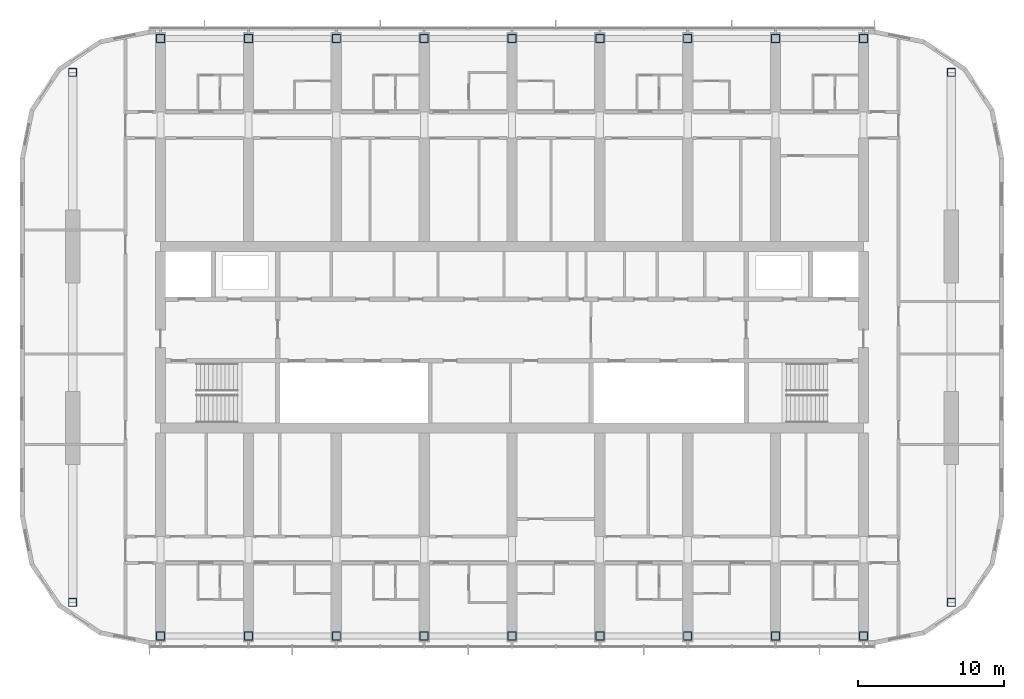
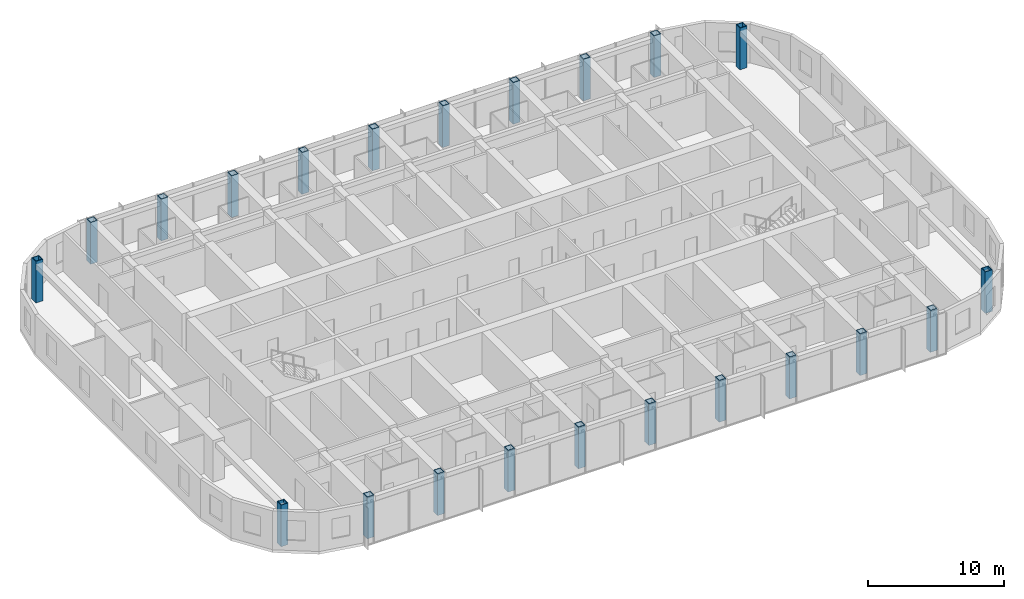
# One storey, part 1 of 23: 22 columns.
"""IFC4 building model written with IfcOpenShell, lengths in metres."""

from ifc_helpers import new_model, si_unit, direction, frame, origin, origin_2d, place, context, subcontext, project, spatial, hollow_rectangle, extrude, material, material_profile, profile_set, type_object, element, save


model = new_model("IFC4")

# Units and contexts
model_context = context("Model", 3, precision=1e-05, world=origin(), true_north=direction((0.0, 1.0)))
body_context = subcontext(model_context, "Body", "Model", "MODEL_VIEW")
ifc_project = project(units=[si_unit("LENGTHUNIT", "METRE"), si_unit("AREAUNIT", "SQUARE_METRE"), si_unit("VOLUMEUNIT", "CUBIC_METRE"), si_unit("PLANEANGLEUNIT", "RADIAN"), si_unit("MASSUNIT", "GRAM", prefix="KILO")], contexts=[model_context])

# Site, building, storey
site_placement = place(None, origin())
site = spatial("IfcSite", under=ifc_project, at=site_placement, CompositionType="ELEMENT")
building_placement = place(site_placement, origin())
building = spatial("IfcBuilding", under=site, at=building_placement, Name="Orbita Commons", CompositionType="ELEMENT")
storey_placement = place(building_placement, frame((0.0, 0.0, 224.050048828125)))
storey = spatial("IfcBuildingStorey", under=building, at=storey_placement, Name="L55", CompositionType="ELEMENT", Elevation=224.050048828125)

# Columns
ifc_material = material(Name="Steel ASTM A572 Gr 50 welded plate", Category="steel")
ifc_material_profile = material_profile(ifc_material, hollow_rectangle(XDim=0.60009765625, YDim=0.60009765625, WallThickness=0.06005859375, at=origin_2d()), Name="BOX 600x600x60")
ifc_profile_set = profile_set([ifc_material_profile], Name="Steel ASTM A572 Gr 50 welded plate")
column_type = type_object("IfcColumnType", Name="Steel column BOX 600x600x60", PredefinedType="COLUMN", material=ifc_profile_set)
for number, where, z_axis, x_axis, name in (
    (1, (18.0, 11.60009765625, 0.0), (0.0, 0.0, 1.0), (1.0, 0.0, 0.0), "Column 4/B L55"),
    (2, (18.0, 52.39990234375, 0.0), (0.0, 0.0, 1.0), (1.0, 0.0, 0.0), "Column 4/E L55"),
    (3, (24.0, 11.60009765625, 0.0), (0.0, 0.0, 1.0), (1.0, 0.0, 0.0), "Column 5/B L55"),
    (4, (24.0, 52.39990234375, 0.0), (0.0, 0.0, 1.0), (1.0, 0.0, 0.0), "Column 5/E L55"),
    (5, (30.0, 11.60009765625, 0.0), (0.0, 0.0, 1.0), (1.0, 0.0, 0.0), "Column 6/B L55"),
    (6, (30.0, 52.39990234375, 0.0), (0.0, 0.0, 1.0), (1.0, 0.0, 0.0), "Column 6/E L55"),
    (7, (36.0, 11.60009765625, 0.0), (0.0, 0.0, 1.0), (1.0, 0.0, 0.0), "Column 7/B L55"),
    (8, (36.0, 52.39990234375, 0.0), (0.0, 0.0, 1.0), (1.0, 0.0, 0.0), "Column 7/E L55"),
    (9, (42.0, 11.60009765625, 0.0), (0.0, 0.0, 1.0), (1.0, 0.0, 0.0), "Column 8/B L55"),
    (10, (42.0, 52.39990234375, 0.0), (0.0, 0.0, 1.0), (1.0, 0.0, 0.0), "Column 8/E L55"),
    (11, (48.0, 11.60009765625, 0.0), (0.0, 0.0, 1.0), (1.0, 0.0, 0.0), "Column 9/B L55"),
    (12, (48.0, 52.39990234375, 0.0), (0.0, 0.0, 1.0), (1.0, 0.0, 0.0), "Column 9/E L55"),
    (13, (54.0, 11.60009765625, 0.0), (0.0, 0.0, 1.0), (1.0, 0.0, 0.0), "Column 10/B L55"),
    (14, (54.0, 52.39990234375, 0.0), (0.0, 0.0, 1.0), (1.0, 0.0, 0.0), "Column 10/E L55"),
    (15, (60.0, 11.60009765625, 0.0), (0.0, 0.0, 1.0), (1.0, 0.0, 0.0), "Column 11/B L55"),
    (16, (60.0, 52.39990234375, 0.0), (0.0, 0.0, 1.0), (1.0, 0.0, 0.0), "Column 11/E L55"),
    (17, (66.0, 11.60009765625, 0.0), (0.0, 0.0, 1.0), (1.0, 0.0, 0.0), "Column 12/B L55"),
    (18, (66.0, 52.39990234375, 0.0), (0.0, 0.0, 1.0), (1.0, 0.0, 0.0), "Column 12/E L55"),
    (19, (12.0, 13.89990234375, 0.0), (0.0, 0.0, 1.0), (1.0, 0.0, 0.0), "Column 3/13.9 L55"),
    (20, (12.0, 50.10009765625, 0.0), (0.0, 0.0, 1.0), (1.0, 0.0, 0.0), "Column 3/50.1 L55"),
    (21, (72.0, 13.89990234375, 0.0), (0.0, 0.0, 1.0), (1.0, 0.0, 0.0), "Column 13/13.9 L55"),
    (22, (72.0, 50.10009765625, 0.0), (0.0, 0.0, 1.0), (1.0, 0.0, 0.0), "Column 13/50.1 L55"),
):
    element("IfcColumn", number, at=place(storey_placement, frame(where, z_axis=z_axis, x_axis=x_axis)), inside=storey, type_object=column_type, Name=name, PredefinedType="COLUMN", context=body_context, shape_type="SweptSolid", body=[
        extrude(hollow_rectangle(XDim=0.60009765625, YDim=0.60009765625, WallThickness=0.06005859375, at=origin_2d()), origin(), (0.0, 0.0, 1.0), 3.75),
    ])

save(model, "model.ifc")
